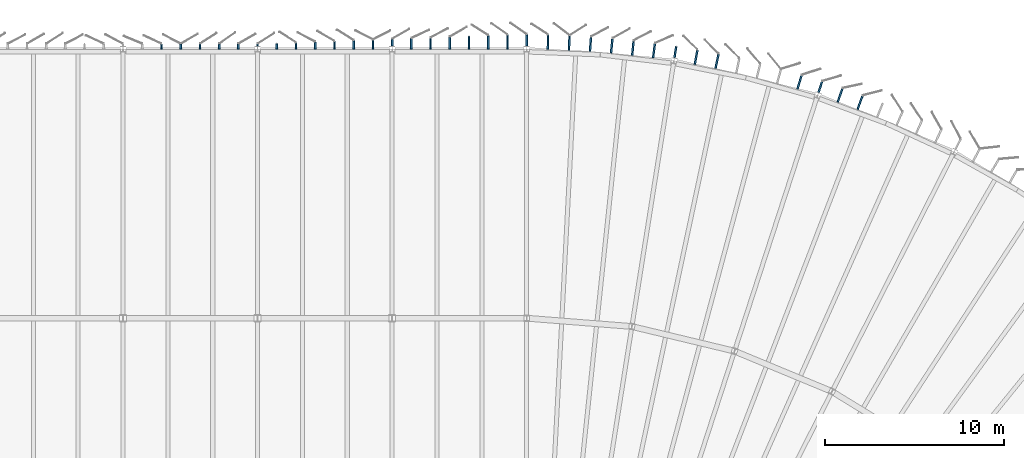
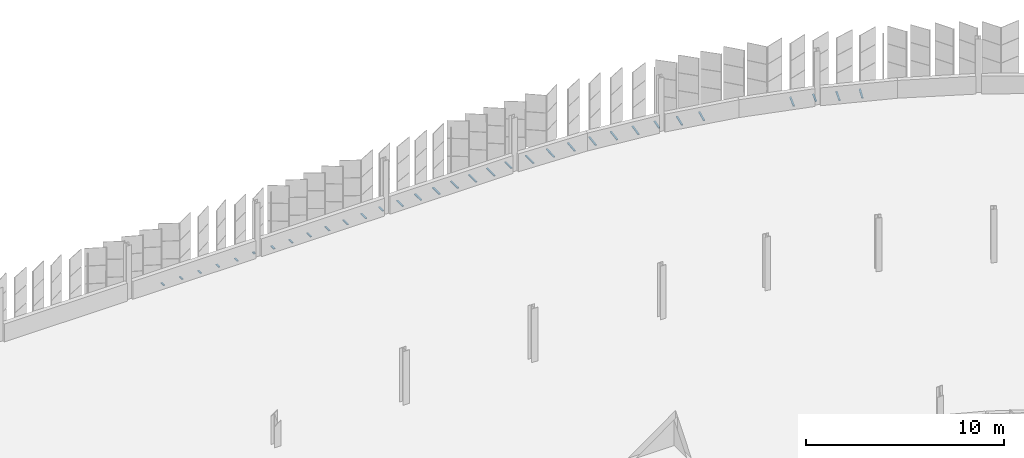
# One storey, part 178 of 199: 33 discrete accessories.
"""IFC4 building model written with IfcOpenShell, lengths in metres."""

from ifc_helpers import new_model, si_unit, direction, frame, origin, origin_2d, place, context, subcontext, project, spatial, rectangle, extrude, material, type_object, element, save


model = new_model("IFC4")

# Units and contexts
model_context = context("Model", 3, precision=1e-05, world=origin(), true_north=direction((0.0, 1.0)))
body_context = subcontext(model_context, "Body", "Model", "MODEL_VIEW")
ifc_project = project(units=[si_unit("LENGTHUNIT", "METRE"), si_unit("AREAUNIT", "SQUARE_METRE"), si_unit("VOLUMEUNIT", "CUBIC_METRE"), si_unit("PLANEANGLEUNIT", "RADIAN"), si_unit("MASSUNIT", "GRAM", prefix="KILO")], contexts=[model_context])

# Site, building, storey
site_placement = place(None, origin())
site = spatial("IfcSite", under=ifc_project, at=site_placement, CompositionType="ELEMENT")
building_placement = place(site_placement, origin())
building = spatial("IfcBuilding", under=site, at=building_placement, Name="Parallax Yard Mobility Hub", CompositionType="ELEMENT")
storey_placement = place(building_placement, frame((0.0, 0.0, 9.89990234375)))
storey = spatial("IfcBuildingStorey", under=building, at=storey_placement, Name="L03", CompositionType="ELEMENT", Elevation=9.89990234375)

# Discrete accessories
ifc_material = material(Name="Steel ASTM A36, hot-dip galvanised", Category="steel")
discrete_accessory_type = type_object("IfcDiscreteAccessoryType", Name="Hinge bracket plate 100x50", PredefinedType="BRACKET", material=ifc_material)
for number, where, z_axis, x_axis, name in (
    (1, (191.086669921875, 139.525390625, -0.02490234375), (0.0, 0.0, 1.0), (0.349463436287, 0.93695000224, 0.0), "Hinge bracket plate bay 48.6 level L03"),
    (2, (189.970703125, 139.931640625, -0.02490234375), (0.0, 0.0, 1.0), (0.322566382032, 0.946546844685, 0.0), "Hinge bracket plate bay 48.7 level L03"),
):
    element("IfcDiscreteAccessory", number, at=place(storey_placement, frame(where, z_axis=z_axis, x_axis=x_axis)), inside=storey, type_object=discrete_accessory_type, Name=name, PredefinedType="BRACKET", context=body_context, shape_type="SweptSolid", body=[
        extrude(rectangle(XDim=0.80810546875, YDim=0.10009765625, at=origin_2d()), origin(), (0.0, 0.0, 1.0), 0.050048828125),
    ])
discrete_accessory_1_placement = place(storey_placement, frame((188.86962890625, 140.38916015625, -0.02490234375), z_axis=(0.0, 0.0, 1.0), x_axis=(0.295404591031, 0.955372245566, 0.0)))
element("IfcDiscreteAccessory", 3, at=discrete_accessory_1_placement, inside=storey, type_object=discrete_accessory_type, Name="Hinge bracket plate bay 49.1 level L03", PredefinedType="BRACKET", context=body_context, shape_type="SweptSolid", body=[
    extrude(rectangle(XDim=0.65234375, YDim=0.10009765625, at=origin_2d()), origin(), (0.0, 0.0, 1.0), 0.050048828125),
])
for number, where, z_axis, x_axis, name in (
    (4, (187.714599609375, 140.664794921875, -0.02490234375), (0.0, 0.0, 1.0), (0.295404591031, 0.955372245566, 0.0), "Hinge bracket plate bay 49.2 level L03"),
    (5, (183.113037109375, 141.82666015625, -0.02490234375), (0.0, 0.0, 1.0), (0.212564824432, 0.977146967152, 0.0), "Hinge bracket plate bay 49.6 level L03"),
    (6, (181.9462890625, 142.048828125, -0.02490234375), (0.0, 0.0, 1.0), (0.184575772126, 0.982818286533, 0.0), "Hinge bracket plate bay 49.7 level L03"),
):
    element("IfcDiscreteAccessory", number, at=place(storey_placement, frame(where, z_axis=z_axis, x_axis=x_axis)), inside=storey, type_object=discrete_accessory_type, Name=name, PredefinedType="BRACKET", context=body_context, shape_type="SweptSolid", body=[
        extrude(rectangle(XDim=0.80810546875, YDim=0.10009765625, at=origin_2d()), origin(), (0.0, 0.0, 1.0), 0.050048828125),
    ])
discrete_accessory_2_placement = place(storey_placement, frame((180.787353515625, 142.322509765625, -0.02490234375), z_axis=(0.0, 0.0, 1.0), x_axis=(0.15643446504, 0.987688340595, 0.0)))
element("IfcDiscreteAccessory", 7, at=discrete_accessory_2_placement, inside=storey, type_object=discrete_accessory_type, Name="Hinge bracket plate bay 50.1 level L03", PredefinedType="BRACKET", context=body_context, shape_type="SweptSolid", body=[
    extrude(rectangle(XDim=0.654541015625, YDim=0.10009765625, at=origin_2d()), origin(), (0.0, 0.0, 1.0), 0.050048828125),
])
for number, where, z_axis, x_axis, name in (
    (8, (179.600830078125, 142.42041015625, -0.02490234375), (0.0, 0.0, 1.0), (0.12816556209, 0.991752786078, 0.0), "Hinge bracket plate bay 50.2 level L03"),
    (9, (178.422607421875, 142.569580078125, -0.02490234375), (0.0, 0.0, 1.0), (0.099793857441, 0.995008133644, 0.0), "Hinge bracket plate bay 50.3 level L03"),
    (10, (177.243896484375, 142.687744140625, -0.02490234375), (0.0, 0.0, 1.0), (0.099793857441, 0.995008133644, 0.0), "Hinge bracket plate bay 50.4 level L03"),
    (11, (176.06005859375, 142.778564453125, -0.02490234375), (0.0, 0.0, 1.0), (0.071339024937, 0.997452125929, 0.0), "Hinge bracket plate bay 50.5 level L03"),
    (12, (174.87451171875, 142.844970703125, -0.02490234375), (0.0, 0.0, 1.0), (0.042826004716, 0.999082545799, 0.0), "Hinge bracket plate bay 50.6 level L03"),
    (13, (173.687744140625, 142.88671875, -0.02490234375), (0.0, 0.0, 1.0), (0.01427979859, 0.999898038478, 0.0), "Hinge bracket plate bay 50.7 level L03"),
):
    element("IfcDiscreteAccessory", number, at=place(storey_placement, frame(where, z_axis=z_axis, x_axis=x_axis)), inside=storey, type_object=discrete_accessory_type, Name=name, PredefinedType="BRACKET", context=body_context, shape_type="SweptSolid", body=[
        extrude(rectangle(XDim=0.80810546875, YDim=0.10009765625, at=origin_2d()), origin(), (0.0, 0.0, 1.0), 0.050048828125),
    ])
discrete_accessory_3_placement = place(storey_placement, frame((172.501953125, 142.980224609375, -0.02490234375), z_axis=(0.0, 0.0, 1.0), x_axis=(0.0, 1.0, 0.0)))
element("IfcDiscreteAccessory", 14, at=discrete_accessory_3_placement, inside=storey, type_object=discrete_accessory_type, Name="Hinge bracket plate bay 51.1 level L03", PredefinedType="BRACKET", context=body_context, shape_type="SweptSolid", body=[
    extrude(rectangle(XDim=0.654541015625, YDim=0.10009765625, at=origin_2d()), origin(), (0.0, 0.0, 1.0), 0.050048828125),
])
discrete_accessory_4_placement = place(storey_placement, frame((171.430419921875, 142.8974609375, -0.02490234375), z_axis=(0.0, 0.0, 1.0), x_axis=(0.0, 1.0, 0.0)))
element("IfcDiscreteAccessory", 15, at=discrete_accessory_4_placement, inside=storey, type_object=discrete_accessory_type, Name="Hinge bracket plate bay 51.2 level L03", PredefinedType="BRACKET", context=body_context, shape_type="SweptSolid", body=[
    extrude(rectangle(XDim=0.7958984375, YDim=0.10009765625, at=origin_2d()), origin(), (0.0, 0.0, 1.0), 0.050048828125),
])
discrete_accessory_5_placement = place(storey_placement, frame((170.35888671875, 142.87744140625, -0.02490234375), z_axis=(0.0, 0.0, 1.0), x_axis=(0.0, 1.0, 0.0)))
element("IfcDiscreteAccessory", 16, at=discrete_accessory_5_placement, inside=storey, type_object=discrete_accessory_type, Name="Hinge bracket plate bay 51.3 level L03", PredefinedType="BRACKET", context=body_context, shape_type="SweptSolid", body=[
    extrude(rectangle(XDim=0.755859375, YDim=0.10009765625, at=origin_2d()), origin(), (0.0, 0.0, 1.0), 0.050048828125),
])
discrete_accessory_6_placement = place(storey_placement, frame((169.287109375, 142.857421875, -0.02490234375), z_axis=(0.0, 0.0, 1.0), x_axis=(0.0, 1.0, 0.0)))
element("IfcDiscreteAccessory", 17, at=discrete_accessory_6_placement, inside=storey, type_object=discrete_accessory_type, Name="Hinge bracket plate bay 51.4 level L03", PredefinedType="BRACKET", context=body_context, shape_type="SweptSolid", body=[
    extrude(rectangle(XDim=0.7158203125, YDim=0.10009765625, at=origin_2d()), origin(), (0.0, 0.0, 1.0), 0.050048828125),
])
discrete_accessory_7_placement = place(storey_placement, frame((168.215576171875, 142.83740234375, -0.02490234375), z_axis=(0.0, 0.0, 1.0), x_axis=(0.0, 1.0, 0.0)))
element("IfcDiscreteAccessory", 18, at=discrete_accessory_7_placement, inside=storey, type_object=discrete_accessory_type, Name="Hinge bracket plate bay 51.5 level L03", PredefinedType="BRACKET", context=body_context, shape_type="SweptSolid", body=[
    extrude(rectangle(XDim=0.67578125, YDim=0.10009765625, at=origin_2d()), origin(), (0.0, 0.0, 1.0), 0.050048828125),
])
discrete_accessory_8_placement = place(storey_placement, frame((167.14404296875, 142.8173828125, -0.02490234375), z_axis=(0.0, 0.0, 1.0), x_axis=(0.0, 1.0, 0.0)))
element("IfcDiscreteAccessory", 19, at=discrete_accessory_8_placement, inside=storey, type_object=discrete_accessory_type, Name="Hinge bracket plate bay 51.6 level L03", PredefinedType="BRACKET", context=body_context, shape_type="SweptSolid", body=[
    extrude(rectangle(XDim=0.635498046875, YDim=0.10009765625, at=origin_2d()), origin(), (0.0, 0.0, 1.0), 0.050048828125),
])
discrete_accessory_9_placement = place(storey_placement, frame((166.072509765625, 142.797119140625, -0.02490234375), z_axis=(0.0, 0.0, 1.0), x_axis=(0.0, 1.0, 0.0)))
element("IfcDiscreteAccessory", 20, at=discrete_accessory_9_placement, inside=storey, type_object=discrete_accessory_type, Name="Hinge bracket plate bay 51.7 level L03", PredefinedType="BRACKET", context=body_context, shape_type="SweptSolid", body=[
    extrude(rectangle(XDim=0.595458984375, YDim=0.10009765625, at=origin_2d()), origin(), (0.0, 0.0, 1.0), 0.050048828125),
])
discrete_accessory_10_placement = place(storey_placement, frame((165.0009765625, 142.85400390625, -0.02490234375), z_axis=(0.0, 0.0, 1.0), x_axis=(0.0, 1.0, 0.0)))
element("IfcDiscreteAccessory", 21, at=discrete_accessory_10_placement, inside=storey, type_object=discrete_accessory_type, Name="Hinge bracket plate bay 52.1 level L03", PredefinedType="BRACKET", context=body_context, shape_type="SweptSolid", body=[
    extrude(rectangle(XDim=0.40185546875, YDim=0.10009765625, at=origin_2d()), origin(), (0.0, 0.0, 1.0), 0.050048828125),
])
discrete_accessory_11_placement = place(storey_placement, frame((163.929443359375, 142.757080078125, -0.02490234375), z_axis=(0.0, 0.0, 1.0), x_axis=(0.0, 1.0, 0.0)))
element("IfcDiscreteAccessory", 22, at=discrete_accessory_11_placement, inside=storey, type_object=discrete_accessory_type, Name="Hinge bracket plate bay 52.2 level L03", PredefinedType="BRACKET", context=body_context, shape_type="SweptSolid", body=[
    extrude(rectangle(XDim=0.515380859375, YDim=0.10009765625, at=origin_2d()), origin(), (0.0, 0.0, 1.0), 0.050048828125),
])
discrete_accessory_12_placement = place(storey_placement, frame((162.85791015625, 142.737060546875, -0.02490234375), z_axis=(0.0, 0.0, 1.0), x_axis=(0.0, 1.0, 0.0)))
element("IfcDiscreteAccessory", 23, at=discrete_accessory_12_placement, inside=storey, type_object=discrete_accessory_type, Name="Hinge bracket plate bay 52.3 level L03", PredefinedType="BRACKET", context=body_context, shape_type="SweptSolid", body=[
    extrude(rectangle(XDim=0.47509765625, YDim=0.10009765625, at=origin_2d()), origin(), (0.0, 0.0, 1.0), 0.050048828125),
])
discrete_accessory_13_placement = place(storey_placement, frame((161.786376953125, 142.717041015625, -0.02490234375), z_axis=(0.0, 0.0, 1.0), x_axis=(0.0, 1.0, 0.0)))
element("IfcDiscreteAccessory", 24, at=discrete_accessory_13_placement, inside=storey, type_object=discrete_accessory_type, Name="Hinge bracket plate bay 52.4 level L03", PredefinedType="BRACKET", context=body_context, shape_type="SweptSolid", body=[
    extrude(rectangle(XDim=0.43505859375, YDim=0.10009765625, at=origin_2d()), origin(), (0.0, 0.0, 1.0), 0.050048828125),
])
discrete_accessory_14_placement = place(storey_placement, frame((160.71484375, 142.697021484375, -0.02490234375), z_axis=(0.0, 0.0, 1.0), x_axis=(0.0, 1.0, 0.0)))
element("IfcDiscreteAccessory", 25, at=discrete_accessory_14_placement, inside=storey, type_object=discrete_accessory_type, Name="Hinge bracket plate bay 52.5 level L03", PredefinedType="BRACKET", context=body_context, shape_type="SweptSolid", body=[
    extrude(rectangle(XDim=0.39501953125, YDim=0.10009765625, at=origin_2d()), origin(), (0.0, 0.0, 1.0), 0.050048828125),
])
discrete_accessory_15_placement = place(storey_placement, frame((159.643310546875, 142.677001953125, -0.02490234375), z_axis=(0.0, 0.0, 1.0), x_axis=(0.0, 1.0, 0.0)))
element("IfcDiscreteAccessory", 26, at=discrete_accessory_15_placement, inside=storey, type_object=discrete_accessory_type, Name="Hinge bracket plate bay 52.6 level L03", PredefinedType="BRACKET", context=body_context, shape_type="SweptSolid", body=[
    extrude(rectangle(XDim=0.35498046875, YDim=0.10009765625, at=origin_2d()), origin(), (0.0, 0.0, 1.0), 0.050048828125),
])
discrete_accessory_16_placement = place(storey_placement, frame((158.571533203125, 142.656982421875, -0.02490234375), z_axis=(0.0, 0.0, 1.0), x_axis=(0.0, 1.0, 0.0)))
element("IfcDiscreteAccessory", 27, at=discrete_accessory_16_placement, inside=storey, type_object=discrete_accessory_type, Name="Hinge bracket plate bay 52.7 level L03", PredefinedType="BRACKET", context=body_context, shape_type="SweptSolid", body=[
    extrude(rectangle(XDim=0.31494140625, YDim=0.10009765625, at=origin_2d()), origin(), (0.0, 0.0, 1.0), 0.050048828125),
])
discrete_accessory_17_placement = place(storey_placement, frame((157.5, 142.71826171875, -0.02490234375), z_axis=(0.0, 0.0, 1.0), x_axis=(0.0, 1.0, 0.0)))
element("IfcDiscreteAccessory", 28, at=discrete_accessory_17_placement, inside=storey, type_object=discrete_accessory_type, Name="Hinge bracket plate bay 53.1 level L03", PredefinedType="BRACKET", context=body_context, shape_type="SweptSolid", body=[
    extrude(rectangle(XDim=0.130615234375, YDim=0.10009765625, at=origin_2d()), origin(), (0.0, 0.0, 1.0), 0.050048828125),
])
for number, where, z_axis, x_axis, name in (
    (29, (156.428466796875, 142.6416015625, -0.02490234375), (0.0, 0.0, 1.0), (0.0, 1.0, 0.0), "Hinge bracket plate bay 53.2 level L03"),
    (30, (155.35693359375, 142.6416015625, -0.02490234375), (0.0, 0.0, 1.0), (0.0, 1.0, 0.0), "Hinge bracket plate bay 53.3 level L03"),
    (31, (154.285400390625, 142.6416015625, -0.02490234375), (0.0, 0.0, 1.0), (0.0, 1.0, 0.0), "Hinge bracket plate bay 53.4 level L03"),
    (32, (153.2138671875, 142.6416015625, -0.02490234375), (0.0, 0.0, 1.0), (0.0, 1.0, 0.0), "Hinge bracket plate bay 53.5 level L03"),
    (33, (152.142333984375, 142.6416015625, -0.02490234375), (0.0, 0.0, 1.0), (0.0, 1.0, 0.0), "Hinge bracket plate bay 53.6 level L03"),
):
    element("IfcDiscreteAccessory", number, at=place(storey_placement, frame(where, z_axis=z_axis, x_axis=x_axis)), inside=storey, type_object=discrete_accessory_type, Name=name, PredefinedType="BRACKET", context=body_context, shape_type="SweptSolid", body=[
        extrude(rectangle(XDim=0.2841796875, YDim=0.10009765625, at=origin_2d()), origin(), (0.0, 0.0, 1.0), 0.050048828125),
    ])

save(model, "model.ifc")
